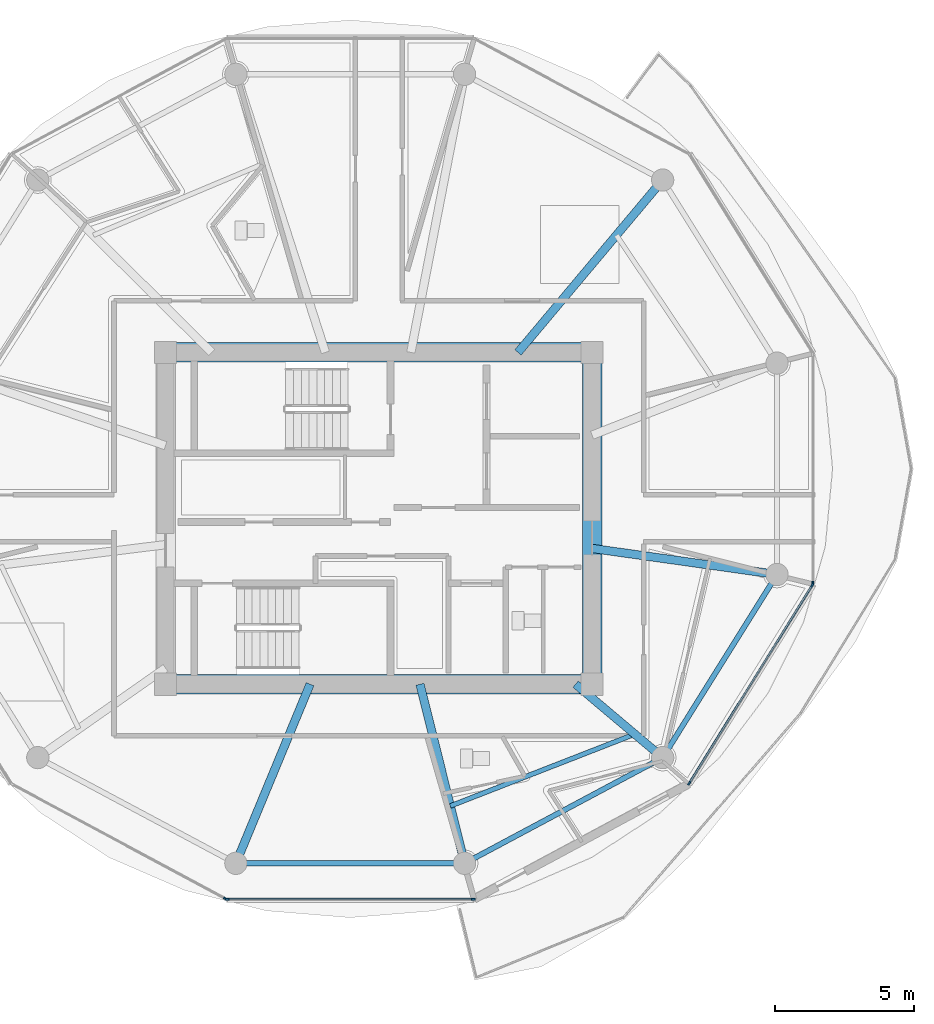
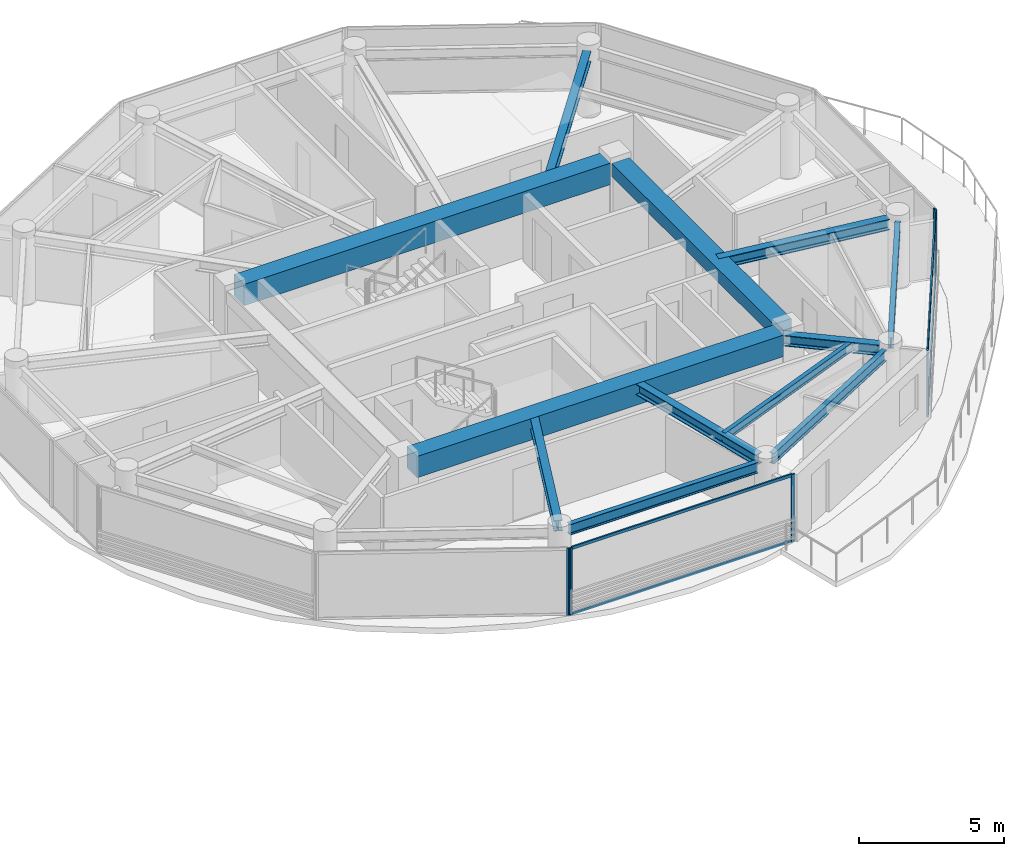
# One storey, part 10 of 25: 12 beams, 10 members, 4 elements without a shape of their own.
"""IFC4 building model written with IfcOpenShell, lengths in metres."""

from ifc_helpers import new_model, si_unit, direction, frame, origin, origin_2d, place, context, subcontext, project, spatial, rectangle, i_section, extrude, source, transform, mapped, material, layer, layer_set, material_profile, profile_set, type_object, type_shapes, element, aggregate, save


model = new_model("IFC4")

# Units and contexts
model_context = context("Model", 3, precision=1e-05, world=origin(), true_north=direction((0.0, 1.0)))
body_context = subcontext(model_context, "Body", "Model", "MODEL_VIEW")
ifc_project = project(units=[si_unit("LENGTHUNIT", "METRE"), si_unit("AREAUNIT", "SQUARE_METRE"), si_unit("VOLUMEUNIT", "CUBIC_METRE"), si_unit("PLANEANGLEUNIT", "RADIAN"), si_unit("MASSUNIT", "GRAM", prefix="KILO")], contexts=[model_context])

# Site, building, storey
site_placement = place(None, origin())
site = spatial("IfcSite", under=ifc_project, at=site_placement, CompositionType="ELEMENT")
building_placement = place(site_placement, origin())
building = spatial("IfcBuilding", under=site, at=building_placement, Name="Norrkilde Senior Care Towers", CompositionType="ELEMENT")
storey_placement = place(building_placement, frame((0.0, 0.0, 161.75)))
storey = spatial("IfcBuildingStorey", under=building, at=storey_placement, Name="L50", CompositionType="ELEMENT", Elevation=161.75)

# Beams
ifc_material_1 = material(Name="Concrete C60/75", Category="concrete")
ifc_material_profile_1 = material_profile(ifc_material_1, rectangle(XDim=0.699951171875, YDim=0.89990234375, at=origin_2d()), Name="RC BM 700x900")
ifc_profile_set_1 = profile_set([ifc_material_profile_1], Name="Concrete C60/75")
beam_type_1 = type_object("IfcBeamType", Name="Core Coupling Girder 700x900", PredefinedType="USERDEFINED", material=ifc_profile_set_1)
shared_shape_1 = source(origin(), body_context, "Body", "SweptSolid", [
    extrude(rectangle(XDim=0.699951171875, YDim=0.89990234375, at=origin_2d()), origin(), (0.0, 0.0, 1.0), 14.5400390625),
])
type_shapes(beam_type_1, [shared_shape_1])
for number, where, z_axis, x_axis, name in (
    (1, (20.72998046875, 5.949951171875, 2.360107421875), (1.0, 0.0, 0.0), (0.0, 1.0, 0.0), "L50 Core E N Coupling Girder"),
    (2, (20.72998046875, -5.949951171875, 2.360107421875), (1.0, 0.0, 0.0), (0.0, 1.0, 0.0), "L50 Core E S Coupling Girder"),
):
    element("IfcBeam", number, at=place(storey_placement, frame(where, z_axis=z_axis, x_axis=x_axis)), inside=storey, type_object=beam_type_1, Name=name, ObjectType="GIRDER", PredefinedType="USERDEFINED", context=body_context, shape_type="MappedRepresentation", body=[
        mapped(shared_shape_1, transform((0.0, 0.0, 0.0), x_axis=(1.0, 0.0, 0.0), y_axis=(0.0, 1.0, 0.0), z_axis=(0.0, 0.0, 1.0), scale=1.0)),
    ])
ifc_material_profile_2 = material_profile(ifc_material_1, rectangle(XDim=0.699951171875, YDim=0.550048828125, at=origin_2d()), Name="RC BM 700x550")
ifc_profile_set_2 = profile_set([ifc_material_profile_2], Name="Concrete C60/75")
beam_type_2 = type_object("IfcBeamType", Name="Core Portal Coupling Beam 700x550", PredefinedType="USERDEFINED", material=ifc_profile_set_2)
shared_shape_2 = source(origin(), body_context, "Body", "SweptSolid", [
    extrude(rectangle(XDim=0.699951171875, YDim=0.550048828125, at=origin_2d()), origin(), (0.0, 0.0, 1.0), 11.14013671875),
])
type_shapes(beam_type_2, [shared_shape_2])
beam_1_placement = place(storey_placement, frame((35.64990234375, -5.570068359375, 2.534912109375), z_axis=(0.0, 1.0, 0.0), x_axis=(-1.0, 0.0, 0.0)))
element("IfcBeam", 3, at=beam_1_placement, inside=storey, type_object=beam_type_2, Name="L50 Core E E Coupling Girder", ObjectType="GIRDER", PredefinedType="USERDEFINED", context=body_context, shape_type="MappedRepresentation", body=[
    mapped(shared_shape_2, transform((0.0, 0.0, 0.0), x_axis=(1.0, 0.0, 0.0), y_axis=(0.0, 1.0, 0.0), z_axis=(0.0, 0.0, 1.0), scale=1.0)),
])
ifc_material_2 = material(Name="Steel S355", Category="steel")
ifc_material_profile_3 = material_profile(ifc_material_2, i_section(OverallWidth=0.18994140625, OverallDepth=0.449951171875, WebThickness=0.009521484375, FlangeThickness=0.0146484375, FilletRadius=0.02099609375, at=origin_2d()), Name="IPE 450")
ifc_profile_set_3 = profile_set([ifc_material_profile_3], Name="Steel S355")
beam_type_3 = type_object("IfcBeamType", Name="Perimeter Ring Spandrel Z3 IPE450", PredefinedType="SPANDREL", material=ifc_profile_set_3)
shared_shape_3 = source(origin(), body_context, "Body", "SweptSolid", [
    extrude(i_section(OverallWidth=0.18994140625, OverallDepth=0.449951171875, WebThickness=0.009521484375, FlangeThickness=0.0146484375, FilletRadius=0.02099609375, at=origin_2d()), origin(), (0.0, 0.0, 1.0), 7.484619140625),
])
beam_2_placement = place(storey_placement, frame((23.232666015625, -12.37548828125, 2.5849609375), z_axis=(1.0, 0.0, 0.0), x_axis=(0.0, 1.0, 0.0)))
element("IfcBeam", 4, at=beam_2_placement, inside=storey, type_object=beam_type_3, Name="L50 Drum E Perimeter Spandrel 09", PredefinedType="SPANDREL", context=body_context, shape_type="MappedRepresentation", body=[
    mapped(shared_shape_3, transform((0.0, 0.0, 0.0), x_axis=(1.0, 0.0, 0.0), y_axis=(0.0, 1.0, 0.0), z_axis=(0.0, 0.0, 1.0), scale=1.0)),
])
ifc_material_profile_4 = material_profile(ifc_material_2, i_section(OverallWidth=0.300048828125, OverallDepth=0.449951171875, WebThickness=0.013916015625, FlangeThickness=0.02587890625, FilletRadius=0.027099609375, at=origin_2d()), Name="HEB 450")
ifc_profile_set_4 = profile_set([ifc_material_profile_4], Name="Steel S355")
beam_type_4 = type_object("IfcBeamType", Name="Radial Floor Beam Z3 HEB450", PredefinedType="BEAM", material=ifc_profile_set_4)
shared_shape_4 = source(origin(), body_context, "Body", "SweptSolid", [
    extrude(i_section(OverallWidth=0.300048828125, OverallDepth=0.449951171875, WebThickness=0.013916015625, FlangeThickness=0.02587890625, FilletRadius=0.027099609375, at=origin_2d()), origin(), (0.0, 0.0, 1.0), 7.71337890625),
])
beam_3_placement = place(storey_placement, frame((32.992919921875, 5.949951171875, 2.5849609375), z_axis=(0.642808239864, 0.766027131872, 0.0), x_axis=(-0.766027131872, 0.642808239864, 0.0)))
element("IfcBeam", 5, at=beam_3_placement, inside=storey, type_object=beam_type_4, Name="L50 Drum E Radial Floor Beam 02", PredefinedType="BEAM", context=body_context, shape_type="MappedRepresentation", body=[
    mapped(shared_shape_4, transform((0.0, 0.0, 0.0), x_axis=(1.0, 0.0, 0.0), y_axis=(0.0, 1.0, 0.0), z_axis=(0.0, 0.0, 1.0), scale=1.0)),
])
shared_shape_5 = source(origin(), body_context, "Body", "SweptSolid", [
    extrude(i_section(OverallWidth=0.18994140625, OverallDepth=0.449951171875, WebThickness=0.009521484375, FlangeThickness=0.0146484375, FilletRadius=0.02099609375, at=origin_2d()), origin(), (0.0, 0.0, 1.0), 7.023193359375),
])
beam_4_placement = place(storey_placement, frame((38.373291015625, -8.2783203125, 2.5849609375), z_axis=(0.529805197269, 0.848119362441, 0.0), x_axis=(-0.848119362441, 0.529805197269, 0.0)))
element("IfcBeam", 6, at=beam_4_placement, inside=storey, type_object=beam_type_3, Name="L50 Drum E Perimeter Spandrel 11", PredefinedType="SPANDREL", context=body_context, shape_type="MappedRepresentation", body=[
    mapped(shared_shape_5, transform((0.0, 0.0, 0.0), x_axis=(1.0, 0.0, 0.0), y_axis=(0.0, 1.0, 0.0), z_axis=(0.0, 0.0, 1.0), scale=1.0)),
])
shared_shape_6 = source(origin(), body_context, "Body", "SweptSolid", [
    extrude(i_section(OverallWidth=0.300048828125, OverallDepth=0.449951171875, WebThickness=0.013916015625, FlangeThickness=0.02587890625, FilletRadius=0.027099609375, at=origin_2d()), origin(), (0.0, 0.0, 1.0), 6.3408203125),
])
beam_5_placement = place(storey_placement, frame((35.64990234375, -1.079833984375, 2.5849609375), z_axis=(0.990184519576, -0.139766294905, 0.0), x_axis=(0.139766294905, 0.990184519576, 0.0)))
element("IfcBeam", 7, at=beam_5_placement, inside=storey, type_object=beam_type_4, Name="L50 Drum E Radial Floor Beam 12", PredefinedType="BEAM", context=body_context, shape_type="MappedRepresentation", body=[
    mapped(shared_shape_6, transform((0.0, 0.0, 0.0), x_axis=(1.0, 0.0, 0.0), y_axis=(0.0, 1.0, 0.0), z_axis=(0.0, 0.0, 1.0), scale=1.0)),
])
shared_shape_7 = source(origin(), body_context, "Body", "SweptSolid", [
    extrude(i_section(OverallWidth=0.18994140625, OverallDepth=0.449951171875, WebThickness=0.009521484375, FlangeThickness=0.0146484375, FilletRadius=0.02099609375, at=origin_2d()), origin(), (0.0, 0.0, 1.0), 7.333984375),
])
type_shapes(beam_type_3, [shared_shape_3, shared_shape_5, shared_shape_7])
beam_6_placement = place(storey_placement, frame((31.394775390625, -12.2060546875, 2.5849609375), z_axis=(0.882234038987, 0.470811109101, 0.0), x_axis=(-0.470811109101, 0.882234038987, 0.0)))
element("IfcBeam", 8, at=beam_6_placement, inside=storey, type_object=beam_type_3, Name="L50 Drum E Perimeter Spandrel 10", PredefinedType="SPANDREL", context=body_context, shape_type="MappedRepresentation", body=[
    mapped(shared_shape_7, transform((0.0, 0.0, 0.0), x_axis=(1.0, 0.0, 0.0), y_axis=(0.0, 1.0, 0.0), z_axis=(0.0, 0.0, 1.0), scale=1.0)),
])
shared_shape_8 = source(origin(), body_context, "Body", "SweptSolid", [
    extrude(i_section(OverallWidth=0.300048828125, OverallDepth=0.449951171875, WebThickness=0.013916015625, FlangeThickness=0.02587890625, FilletRadius=0.027099609375, at=origin_2d()), origin(), (0.0, 0.0, 1.0), 3.7265625),
])
beam_7_placement = place(storey_placement, frame((35.058349609375, -5.949951171875, 2.5849609375), z_axis=(0.764567902106, -0.644543189453, 0.0), x_axis=(0.644543189453, 0.764567902106, 0.0)))
element("IfcBeam", 9, at=beam_7_placement, inside=storey, type_object=beam_type_4, Name="L50 Drum E Radial Floor Beam 11", PredefinedType="BEAM", context=body_context, shape_type="MappedRepresentation", body=[
    mapped(shared_shape_8, transform((0.0, 0.0, 0.0), x_axis=(1.0, 0.0, 0.0), y_axis=(0.0, 1.0, 0.0), z_axis=(0.0, 0.0, 1.0), scale=1.0)),
])
shared_shape_9 = source(origin(), body_context, "Body", "SweptSolid", [
    extrude(i_section(OverallWidth=0.300048828125, OverallDepth=0.449951171875, WebThickness=0.013916015625, FlangeThickness=0.02587890625, FilletRadius=0.027099609375, at=origin_2d()), origin(), (0.0, 0.0, 1.0), 6.26123046875),
])
beam_8_placement = place(storey_placement, frame((29.4794921875, -5.949951171875, 2.5849609375), z_axis=(0.241324375921, -0.970444509277, 0.0), x_axis=(0.970444509277, 0.241324375921, 0.0)))
element("IfcBeam", 10, at=beam_8_placement, inside=storey, type_object=beam_type_4, Name="L50 Drum E Radial Floor Beam 10", PredefinedType="BEAM", context=body_context, shape_type="MappedRepresentation", body=[
    mapped(shared_shape_9, transform((0.0, 0.0, 0.0), x_axis=(1.0, 0.0, 0.0), y_axis=(0.0, 1.0, 0.0), z_axis=(0.0, 0.0, 1.0), scale=1.0)),
])
shared_shape_10 = source(origin(), body_context, "Body", "SweptSolid", [
    extrude(i_section(OverallWidth=0.300048828125, OverallDepth=0.449951171875, WebThickness=0.013916015625, FlangeThickness=0.02587890625, FilletRadius=0.027099609375, at=origin_2d()), origin(), (0.0, 0.0, 1.0), 6.59521484375),
])
type_shapes(beam_type_4, [shared_shape_4, shared_shape_6, shared_shape_8, shared_shape_9, shared_shape_10])
beam_9_placement = place(storey_placement, frame((25.534912109375, -5.949951171875, 2.5849609375), z_axis=(-0.382761541363, -0.923847174836, 0.0), x_axis=(0.923847174836, -0.382761541363, 0.0)))
element("IfcBeam", 11, at=beam_9_placement, inside=storey, type_object=beam_type_4, Name="L50 Drum E Radial Floor Beam 09", PredefinedType="BEAM", context=body_context, shape_type="MappedRepresentation", body=[
    mapped(shared_shape_10, transform((0.0, 0.0, 0.0), x_axis=(1.0, 0.0, 0.0), y_axis=(0.0, 1.0, 0.0), z_axis=(0.0, 0.0, 1.0), scale=1.0)),
])
ifc_material_profile_5 = material_profile(ifc_material_2, i_section(OverallWidth=0.169921875, OverallDepth=0.360107421875, WebThickness=0.008056640625, FlangeThickness=0.0126953125, FilletRadius=0.01806640625, at=origin_2d()), Name="IPE 360")
ifc_profile_set_5 = profile_set([ifc_material_profile_5], Name="Steel S355")
beam_type_5 = type_object("IfcBeamType", Name="Secondary Floor Joist IPE360", PredefinedType="JOIST", material=ifc_profile_set_5)
shared_shape_11 = source(origin(), body_context, "Body", "SweptSolid", [
    extrude(i_section(OverallWidth=0.169921875, OverallDepth=0.360107421875, WebThickness=0.008056640625, FlangeThickness=0.0126953125, FilletRadius=0.01806640625, at=origin_2d()), origin(), (0.0, 0.0, 1.0), 7.1015625),
])
type_shapes(beam_type_5, [shared_shape_11])
beam_10_placement = place(storey_placement, frame((30.56591796875, -10.3193359375, 2.6298828125), z_axis=(0.931761231292, 0.363071629106, 0.0), x_axis=(-0.363071629106, 0.931761231292, 0.0)))
element("IfcBeam", 12, at=beam_10_placement, inside=storey, type_object=beam_type_5, Name="L50 Drum E Secondary Floor Joist 4", PredefinedType="JOIST", context=body_context, shape_type="MappedRepresentation", body=[
    mapped(shared_shape_11, transform((0.0, 0.0, 0.0), x_axis=(1.0, 0.0, 0.0), y_axis=(0.0, 1.0, 0.0), z_axis=(0.0, 0.0, 1.0), scale=1.0)),
])

# Curtain wall, member
ifc_material_3 = material(Name="Triple Low-E Insulated Glazing", Category="glass")
ifc_layer = layer(ifc_material_3, 0.18994140625)
ifc_layer_set = layer_set([ifc_layer], Name="Triple Low-E Insulated Glazing")
curtain_wall_type = type_object("IfcCurtainWallType", Name="CW4 Zone 3 Senior Residence Curtain Wall", PredefinedType="NOTDEFINED", material=ifc_layer_set)
curtain_wall_1_placement = place(storey_placement, origin())
curtain_wall_1 = element("IfcCurtainWall", 13, at=curtain_wall_1_placement, inside=storey, type_object=curtain_wall_type, Name="L50 Drum E Curtain Wall 07", PredefinedType="NOTDEFINED")
ifc_material_4 = material(Name="Anodised Aluminium", Category="aluminium")
ifc_material_profile_6 = material_profile(ifc_material_4, rectangle(XDim=0.06494140625, YDim=0.14990234375, at=origin_2d()), Name="ALU MULL 65x150")
ifc_profile_set_6 = profile_set([ifc_material_profile_6], Name="Anodised Aluminium")
member_type_1 = type_object("IfcMemberType", Name="Curtain Wall Mullion Z3-Z4 65x150", PredefinedType="MULLION", material=ifc_profile_set_6)
shared_shape_12 = source(origin(), body_context, "Body", "SweptSolid", [
    extrude(rectangle(XDim=0.06494140625, YDim=0.14990234375, at=origin_2d()), origin(), (0.0, 0.0, 1.0), 2.81005859375),
])
type_shapes(member_type_1, [shared_shape_12])
member_1_placement = place(storey_placement, frame((22.499755859375, -13.644775390625, 0.0), z_axis=(0.0, 0.0, 1.0), x_axis=(-0.47311715104, -0.880999524059, 0.0)))
member_1 = element("IfcMember", 14, at=member_1_placement, type_object=member_type_1, Name="CW-4 mullion 1", PredefinedType="MULLION", context=body_context, shape_type="MappedRepresentation", body=[
    mapped(shared_shape_12, transform((0.0, 0.0, 0.0), x_axis=(1.0, 0.0, 0.0), y_axis=(0.0, 1.0, 0.0), z_axis=(0.0, 0.0, 1.0), scale=1.0)),
])
aggregate(curtain_wall_1, [member_1])

# Curtain wall, members
curtain_wall_2_placement = place(storey_placement, origin())
curtain_wall_2 = element("IfcCurtainWall", 15, at=curtain_wall_2_placement, inside=storey, type_object=curtain_wall_type, Name="L50 Drum E Curtain Wall 08", PredefinedType="NOTDEFINED")
member_2_placement = place(storey_placement, frame((31.388916015625, -13.66015625, 0.0), z_axis=(0.0, 0.0, 1.0), x_axis=(0.0, -1.0, 0.0)))
member_2 = element("IfcMember", 16, at=member_2_placement, type_object=member_type_1, Name="CW-4 mullion 1", PredefinedType="MULLION", context=body_context, shape_type="MappedRepresentation", body=[
    mapped(shared_shape_12, transform((0.0, 0.0, 0.0), x_axis=(1.0, 0.0, 0.0), y_axis=(0.0, 1.0, 0.0), z_axis=(0.0, 0.0, 1.0), scale=1.0)),
])
member_3_placement = place(storey_placement, frame((22.56103515625, -13.66015625, 0.0), z_axis=(0.0, 0.0, 1.0), x_axis=(0.0, -1.0, 0.0)))
member_3 = element("IfcMember", 17, at=member_3_placement, type_object=member_type_1, Name="CW-4 mullion 2", PredefinedType="MULLION", context=body_context, shape_type="MappedRepresentation", body=[
    mapped(shared_shape_12, transform((0.0, 0.0, 0.0), x_axis=(1.0, 0.0, 0.0), y_axis=(0.0, 1.0, 0.0), z_axis=(0.0, 0.0, 1.0), scale=1.0)),
])

curtain_wall_3_placement = place(storey_placement, origin())
curtain_wall_3 = element("IfcCurtainWall", 18, at=curtain_wall_3_placement, inside=storey, type_object=curtain_wall_type, Name="L50 Drum E Curtain Wall 10", PredefinedType="NOTDEFINED")
member_4_placement = place(storey_placement, frame((43.552490234375, -2.38818359375, 0.0), z_axis=(0.0, 0.0, 1.0), x_axis=(0.84963405474, -0.52737270789, 0.0)))
member_4 = element("IfcMember", 19, at=member_4_placement, type_object=member_type_1, Name="CW-4 mullion 1", PredefinedType="MULLION", context=body_context, shape_type="MappedRepresentation", body=[
    mapped(shared_shape_12, transform((0.0, 0.0, 0.0), x_axis=(1.0, 0.0, 0.0), y_axis=(0.0, 1.0, 0.0), z_axis=(0.0, 0.0, 1.0), scale=1.0)),
])
member_5_placement = place(storey_placement, frame((39.14013671875, -9.49658203125, 0.0), z_axis=(0.0, 0.0, 1.0), x_axis=(0.84963405474, -0.52737270789, 0.0)))
member_5 = element("IfcMember", 20, at=member_5_placement, type_object=member_type_1, Name="CW-4 mullion 2", PredefinedType="MULLION", context=body_context, shape_type="MappedRepresentation", body=[
    mapped(shared_shape_12, transform((0.0, 0.0, 0.0), x_axis=(1.0, 0.0, 0.0), y_axis=(0.0, 1.0, 0.0), z_axis=(0.0, 0.0, 1.0), scale=1.0)),
])

# Curtain wall, member
curtain_wall_4_placement = place(storey_placement, origin())
curtain_wall_4 = element("IfcCurtainWall", 21, at=curtain_wall_4_placement, inside=storey, type_object=curtain_wall_type, Name="L50 Drum E Curtain Wall 11", PredefinedType="NOTDEFINED")
member_6_placement = place(storey_placement, frame((43.569580078125, -2.328125, 0.0), z_axis=(0.0, 0.0, 1.0), x_axis=(1.0, 0.0, 0.0)))
member_6 = element("IfcMember", 22, at=member_6_placement, type_object=member_type_1, Name="CW-4 mullion 2", PredefinedType="MULLION", context=body_context, shape_type="MappedRepresentation", body=[
    mapped(shared_shape_12, transform((0.0, 0.0, 0.0), x_axis=(1.0, 0.0, 0.0), y_axis=(0.0, 1.0, 0.0), z_axis=(0.0, 0.0, 1.0), scale=1.0)),
])
aggregate(curtain_wall_4, [member_6])

# Member
ifc_material_profile_7 = material_profile(ifc_material_4, rectangle(XDim=0.06005859375, YDim=0.1201171875, at=origin_2d()), Name="ALU TRAN 60x120")
ifc_profile_set_7 = profile_set([ifc_material_profile_7], Name="Anodised Aluminium")
member_type_2 = type_object("IfcMemberType", Name="Curtain Wall Transom Typical 60x120", PredefinedType="USERDEFINED", material=ifc_profile_set_7)
shared_shape_13 = source(origin(), body_context, "Body", "SweptSolid", [
    extrude(rectangle(XDim=0.06005859375, YDim=0.1201171875, at=origin_2d()), origin(), (0.0, 0.0, 1.0), 8.301513671875),
])
member_7_placement = place(storey_placement, frame((43.535400390625, -2.415771484375, 0.030029296875), z_axis=(-0.527368718394, -0.849636531029, 0.0), x_axis=(0.849636531029, -0.527368718394, 0.0)))
member_7 = element("IfcMember", 23, at=member_7_placement, type_object=member_type_2, Name="CW-4 transom 1.1", ObjectType="TRANSOM", PredefinedType="USERDEFINED", context=body_context, shape_type="MappedRepresentation", body=[
    mapped(shared_shape_13, transform((0.0, 0.0, 0.0), x_axis=(1.0, 0.0, 0.0), y_axis=(0.0, 1.0, 0.0), z_axis=(0.0, 0.0, 1.0), scale=1.0)),
])

member_8_placement = place(storey_placement, frame((43.535400390625, -2.415771484375, 2.780029296875), z_axis=(-0.527368718394, -0.849636531029, 0.0), x_axis=(0.849636531029, -0.527368718394, 0.0)))
member_8 = element("IfcMember", 24, at=member_8_placement, type_object=member_type_2, Name="CW-4 transom 1.2", ObjectType="TRANSOM", PredefinedType="USERDEFINED", context=body_context, shape_type="MappedRepresentation", body=[
    mapped(shared_shape_13, transform((0.0, 0.0, 0.0), x_axis=(1.0, 0.0, 0.0), y_axis=(0.0, 1.0, 0.0), z_axis=(0.0, 0.0, 1.0), scale=1.0)),
])

aggregate(curtain_wall_3, [member_4, member_5, member_7, member_8])

shared_shape_14 = source(origin(), body_context, "Body", "SweptSolid", [
    extrude(rectangle(XDim=0.06005859375, YDim=0.1201171875, at=origin_2d()), origin(), (0.0, 0.0, 1.0), 8.762939453125),
])
type_shapes(member_type_2, [shared_shape_13, shared_shape_14])
member_9_placement = place(storey_placement, frame((31.3564453125, -13.66015625, 0.030029296875), z_axis=(-1.0, 0.0, 0.0), x_axis=(0.0, -1.0, 0.0)))
member_9 = element("IfcMember", 25, at=member_9_placement, type_object=member_type_2, Name="CW-4 transom 1.1", ObjectType="TRANSOM", PredefinedType="USERDEFINED", context=body_context, shape_type="MappedRepresentation", body=[
    mapped(shared_shape_14, transform((0.0, 0.0, 0.0), x_axis=(1.0, 0.0, 0.0), y_axis=(0.0, 1.0, 0.0), z_axis=(0.0, 0.0, 1.0), scale=1.0)),
])

member_10_placement = place(storey_placement, frame((31.3564453125, -13.66015625, 2.780029296875), z_axis=(-1.0, 0.0, 0.0), x_axis=(0.0, -1.0, 0.0)))
member_10 = element("IfcMember", 26, at=member_10_placement, type_object=member_type_2, Name="CW-4 transom 1.2", ObjectType="TRANSOM", PredefinedType="USERDEFINED", context=body_context, shape_type="MappedRepresentation", body=[
    mapped(shared_shape_14, transform((0.0, 0.0, 0.0), x_axis=(1.0, 0.0, 0.0), y_axis=(0.0, 1.0, 0.0), z_axis=(0.0, 0.0, 1.0), scale=1.0)),
])

aggregate(curtain_wall_2, [member_2, member_3, member_9, member_10])

save(model, "model.ifc")
